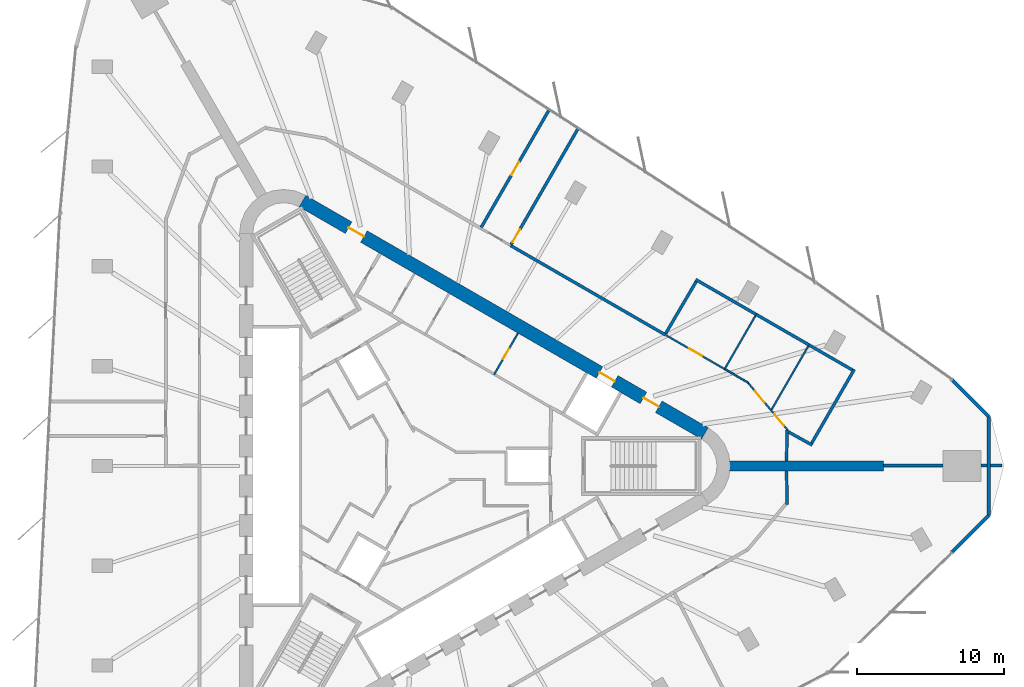
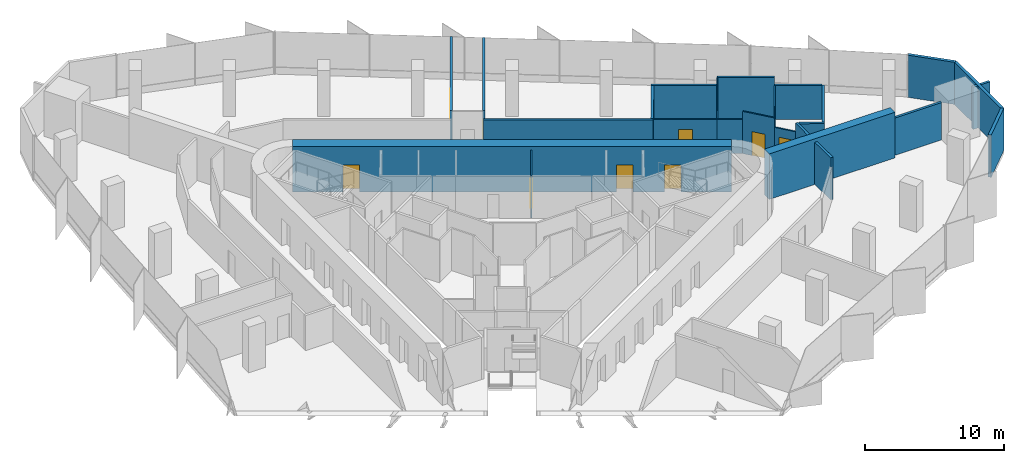
# One storey, part 12 of 14: 26 walls, 9 doors, 9 openings.
"""IFC4 building model written with IfcOpenShell, lengths in metres."""

from ifc_helpers import new_model, si_unit, direction, frame, frame_2d, origin, place, context, subcontext, project, spatial, rectangle, extrude, material, layer, layer_set, type_object, element, fill, save


model = new_model("IFC4")

# Units and contexts
model_context = context("Model", 3, precision=1e-05, world=origin(), true_north=direction((0.0, 1.0)))
body_context = subcontext(model_context, "Body", "Model", "MODEL_VIEW")
ifc_project = project(units=[si_unit("LENGTHUNIT", "METRE"), si_unit("AREAUNIT", "SQUARE_METRE"), si_unit("VOLUMEUNIT", "CUBIC_METRE"), si_unit("PLANEANGLEUNIT", "RADIAN"), si_unit("MASSUNIT", "GRAM", prefix="KILO")], contexts=[model_context])

# Site, building, storey
site_placement = place(None, origin())
site = spatial("IfcSite", under=ifc_project, at=site_placement, CompositionType="ELEMENT")
building_placement = place(site_placement, origin())
building = spatial("IfcBuilding", under=site, at=building_placement, Name="Tanit Gate Tower", CompositionType="ELEMENT")
storey_placement = place(building_placement, frame((0.0, 0.0, 257.199951171875)))
storey = spatial("IfcBuildingStorey", under=building, at=storey_placement, Name="L58", CompositionType="ELEMENT", Elevation=257.199951171875)

# Wall
ifc_material_1 = material(Name="Concrete C50/60", Category="concrete")
ifc_layer_1 = layer(ifc_material_1, 0.699951171875)
ifc_layer_set_1 = layer_set([ifc_layer_1], Name="BUTTRESS FIN 700 C50/60")
wall_type_1 = type_object("IfcWallType", Name="BUTTRESS FIN 700 C50/60", PredefinedType="SHEAR", material=ifc_layer_set_1)
wall_1_placement = place(storey_placement, frame((21.14990234375, 0.0, 0.0), z_axis=(0.0, 0.0, 1.0), x_axis=(1.0, 0.0, 0.0)))
element("IfcWall", 1, at=wall_1_placement, inside=storey, type_object=wall_type_1, Name="BUTTRESS FIN", PredefinedType="SHEAR", context=body_context, shape_type="SweptSolid", body=[
    extrude(rectangle(XDim=10.4326171875, YDim=0.699951171875, at=frame_2d((5.21630859375, 0.0))), origin(), (0.0, 0.0, 1.0), 4.0),
])

# Wall, openings, doors
ifc_material_2 = material(Name="Concrete C50/60", Category="concrete")
ifc_layer_2 = layer(ifc_material_2, 0.89990234375)
ifc_layer_set_2 = layer_set([ifc_layer_2], Name="CORE WALL 900 C50/60")
wall_type_2 = type_object("IfcWallType", Name="CORE WALL 900 C50/60", PredefinedType="SHEAR", material=ifc_layer_set_2)
wall_2_placement = place(storey_placement, frame((19.47509765625, 2.20849609375, 0.0), z_axis=(0.0, 0.0, 1.0), x_axis=(-0.866028369851, 0.499994862586, 0.0)))
wall_2 = element("IfcWall", 2, at=wall_2_placement, inside=storey, type_object=wall_type_2, Name="CORE WALL", PredefinedType="SHEAR", context=body_context, shape_type="SweptSolid", body=[
    extrude(rectangle(XDim=31.523193359375, YDim=0.89990234375, at=frame_2d((15.76171875, 0.0))), origin(), (0.0, 0.0, 1.0), 4.0),
])
opening_1_placement = place(wall_2_placement, frame((7.0615234375, 0.0, 0.0)))
opening_1 = element("IfcOpeningElement", 3, at=opening_1_placement, cuts=wall_2, Name="Opening LDML8-S16", PredefinedType="OPENING", context=body_context, shape_type="SweptSolid", body=[
    extrude(rectangle(XDim=1.199951171875, YDim=2.39990234375, at=frame_2d((0.60009765625, 1.199951171875))), frame((0.0, 0.4599609375, 0.0), z_axis=(0.0, -1.0, 0.0), x_axis=(1.0, 0.0, 0.0)), (0.0, 0.0, 1.0), 0.919921875),
])
opening_2_placement = place(wall_2_placement, frame((3.611572265625, 0.0, 0.0)))
opening_2 = element("IfcOpeningElement", 4, at=opening_2_placement, cuts=wall_2, Name="Opening F12-S16-FL1", PredefinedType="OPENING", context=body_context, shape_type="SweptSolid", body=[
    extrude(rectangle(XDim=1.199951171875, YDim=2.39990234375, at=frame_2d((0.60009765625, 1.199951171875))), frame((0.0, 0.4599609375, 0.0), z_axis=(0.0, -1.0, 0.0), x_axis=(1.0, 0.0, 0.0)), (0.0, 0.0, 1.0), 0.919921875),
])
opening_3_placement = place(wall_2_placement, frame((26.711669921875, 0.0, 0.0)))
opening_3 = element("IfcOpeningElement", 5, at=opening_3_placement, cuts=wall_2, Name="Opening F12-S16-S2", PredefinedType="OPENING", context=body_context, shape_type="SweptSolid", body=[
    extrude(rectangle(XDim=1.199951171875, YDim=2.39990234375, at=frame_2d((0.60009765625, 1.199951171875))), frame((0.0, 0.4599609375, 0.0), z_axis=(0.0, -1.0, 0.0), x_axis=(1.0, 0.0, 0.0)), (0.0, 0.0, 1.0), 0.919921875),
])
ifc_material_3 = material(Name="Fire-rated steel door leaf", Category="steel")
door_type_1 = type_object("IfcDoorType", Name="INT-DOOR-FIRE-LOBBY-1200", OperationType="NOTDEFINED", PredefinedType="USERDEFINED", material=ifc_material_3)
door_1_placement = place(opening_2_placement, origin())
door_1 = element("IfcDoor", 6, at=door_1_placement, inside=storey, type_object=door_type_1, Name="Door F12-S16-FL1", ObjectType="FIRE DOOR", OperationType="SINGLE_SWING_LEFT", OverallHeight=2.39990234375, OverallWidth=1.199951171875, PredefinedType="USERDEFINED", context=body_context, shape_type="SweptSolid", body=[
    extrude(rectangle(XDim=1.199951171875, YDim=2.39990234375, at=frame_2d((0.60009765625, 1.199951171875))), frame((0.0, 0.02490234375, 0.0), z_axis=(0.0, -1.0, 0.0), x_axis=(1.0, 0.0, 0.0)), (0.0, 0.0, 1.0), 0.050048828125),
])
fill(opening_2, door_1)
door_2_placement = place(opening_3_placement, origin())
door_2 = element("IfcDoor", 7, at=door_2_placement, inside=storey, type_object=door_type_1, Name="Door F12-S16-S2", ObjectType="FIRE DOOR", OperationType="SINGLE_SWING_LEFT", OverallHeight=2.39990234375, OverallWidth=1.199951171875, PredefinedType="USERDEFINED", context=body_context, shape_type="SweptSolid", body=[
    extrude(rectangle(XDim=1.199951171875, YDim=2.39990234375, at=frame_2d((0.60009765625, 1.199951171875))), frame((0.0, 0.02490234375, 0.0), z_axis=(0.0, -1.0, 0.0), x_axis=(1.0, 0.0, 0.0)), (0.0, 0.0, 1.0), 0.050048828125),
])
fill(opening_3, door_2)
ifc_material_4 = material(Name="Stainless steel sliding door leaf", Category="steel")
door_type_2 = type_object("IfcDoorType", Name="INT-DOOR-LANDING-1200", OperationType="NOTDEFINED", PredefinedType="USERDEFINED", material=ifc_material_4)
door_3_placement = place(opening_1_placement, origin())
door_3 = element("IfcDoor", 8, at=door_3_placement, inside=storey, type_object=door_type_2, Name="Door LDML8-S16", ObjectType="LANDING DOOR", OperationType="SLIDING_TO_LEFT", OverallHeight=2.39990234375, OverallWidth=1.199951171875, PredefinedType="USERDEFINED", context=body_context, shape_type="SweptSolid", body=[
    extrude(rectangle(XDim=1.199951171875, YDim=2.39990234375, at=frame_2d((0.60009765625, 1.199951171875))), frame((0.0, 0.02490234375, 0.0), z_axis=(0.0, -1.0, 0.0), x_axis=(1.0, 0.0, 0.0)), (0.0, 0.0, 1.0), 0.050048828125),
])
fill(opening_1, door_3)

# Walls
ifc_material_5 = material(Name="Concrete C30/37 with bronze anodised aluminium cladding", Category="concrete")
ifc_layer_3 = layer(ifc_material_5, 0.239990234375)
ifc_layer_set_3 = layer_set([ifc_layer_3], Name="Facade wall bronze clad 240")
wall_type_3 = type_object("IfcWallType", Name="Facade wall bronze clad 240", PredefinedType="SOLIDWALL", material=ifc_layer_set_3)
wall_3_placement = place(storey_placement, frame((36.263427734375, -5.842041015625, 0.0), z_axis=(0.0, 0.0, 1.0), x_axis=(0.707106781187, 0.707106781187, 0.0)))
element("IfcWall", 9, at=wall_3_placement, inside=storey, type_object=wall_type_3, Name="Bronze-clad facade wall L58 E.arc1", PredefinedType="SOLIDWALL", context=body_context, shape_type="SweptSolid", body=[
    extrude(rectangle(XDim=3.510009765625, YDim=0.239990234375, at=frame_2d((1.7548828125, 0.0))), origin(), (0.0, 0.0, 1.0), 3.699951171875),
])
wall_4_placement = place(storey_placement, frame((38.745361328125, -3.360107421875, 0.0), z_axis=(0.0, 0.0, 1.0), x_axis=(0.0, 1.0, 0.0)))
element("IfcWall", 10, at=wall_4_placement, inside=storey, type_object=wall_type_3, Name="Bronze-clad facade wall L58 E.arc2", PredefinedType="SOLIDWALL", context=body_context, shape_type="SweptSolid", body=[
    extrude(rectangle(XDim=6.72021484375, YDim=0.239990234375, at=frame_2d((3.360107421875, 0.0))), origin(), (0.0, 0.0, 1.0), 3.699951171875),
])
wall_5_placement = place(storey_placement, frame((38.745361328125, 3.360107421875, 0.0), z_axis=(0.0, 0.0, 1.0), x_axis=(-0.707071911409, 0.707141649244, 0.0)))
element("IfcWall", 11, at=wall_5_placement, inside=storey, type_object=wall_type_3, Name="Bronze-clad facade wall L58 E.arc3", PredefinedType="SOLIDWALL", context=body_context, shape_type="SweptSolid", body=[
    extrude(rectangle(XDim=3.500732421875, YDim=0.239990234375, at=frame_2d((1.75048828125, 0.0))), origin(), (0.0, 0.0, 1.0), 3.699951171875),
])
ifc_material_6 = material(Name="Fire-rated gypsum board partition")
ifc_layer_4 = layer(ifc_material_6, 0.199951171875)
ifc_layer_set_4 = layer_set([ifc_layer_4], Name="INT-WALL-COMPARTMENT")
wall_type_4 = type_object("IfcWallType", Name="INT-WALL-COMPARTMENT", PredefinedType="PARTITIONING", material=ifc_layer_set_4)
wall_6_placement = place(storey_placement, frame((16.82275390625, 8.8779296875, 0.0), z_axis=(0.0, 0.0, 1.0), x_axis=(-0.866020355572, 0.500008743658, 0.0)))
element("IfcWall", 12, at=wall_6_placement, inside=storey, type_object=wall_type_4, Name="Wall Compartment W103", PredefinedType="PARTITIONING", context=body_context, shape_type="SweptSolid", body=[
    extrude(rectangle(XDim=12.179931640625, YDim=0.199951171875, at=frame_2d((6.08984375, 0.0))), origin(), (0.0, 0.0, 1.0), 2.97998046875),
])
wall_7_placement = place(storey_placement, frame((25.0205078125, 0.35009765625, 0.0), z_axis=(0.0, 0.0, 1.0), x_axis=(0.012334587904, 0.999923926077, 0.0)))
element("IfcWall", 13, at=wall_7_placement, inside=storey, type_object=wall_type_4, Name="Wall Compartment W104", PredefinedType="PARTITIONING", context=body_context, shape_type="SweptSolid", body=[
    extrude(rectangle(XDim=2.078369140625, YDim=0.199951171875, at=frame_2d((1.0390625, 0.0))), origin(), (0.0, 0.0, 1.0), 3.699951171875),
])
wall_8_placement = place(storey_placement, frame((25.047607421875, -2.608154296875, 0.0), z_axis=(0.0, 0.0, 1.0), x_axis=(-0.012000433251, 0.999927992208, 0.0)))
element("IfcWall", 14, at=wall_8_placement, inside=storey, type_object=wall_type_4, Name="Wall Compartment W110", PredefinedType="PARTITIONING", context=body_context, shape_type="SweptSolid", body=[
    extrude(rectangle(XDim=2.25830078125, YDim=0.199951171875, at=frame_2d((1.129150390625, 0.0))), origin(), (0.0, 0.0, 1.0), 3.699951171875),
])

# Wall, opening, door
wall_9_placement = place(storey_placement, frame((8.912109375, 24.17626953125, 0.0), z_axis=(0.0, 0.0, 1.0), x_axis=(-0.500000924775, -0.866024869865, 0.0)))
wall_9 = element("IfcWall", 15, at=wall_9_placement, inside=storey, type_object=wall_type_4, Name="Wall Compartment W126", PredefinedType="PARTITIONING", context=body_context, shape_type="SweptSolid", body=[
    extrude(rectangle(XDim=9.2333984375, YDim=0.199951171875, at=frame_2d((4.61669921875, 0.0))), origin(), (0.0, 0.0, 1.0), 3.699951171875),
])
opening_4_placement = place(wall_9_placement, frame((4.11669921875, 0.0, 0.0)))
opening_4 = element("IfcOpeningElement", 16, at=opening_4_placement, cuts=wall_9, Name="Opening F10-S16-32", PredefinedType="OPENING", context=body_context, shape_type="SweptSolid", body=[
    extrude(rectangle(XDim=1.0, YDim=2.10009765625, at=frame_2d((0.5, 1.050048828125))), frame((0.0, 0.10986328125, 0.0), z_axis=(0.0, -1.0, 0.0), x_axis=(1.0, 0.0, 0.0)), (0.0, 0.0, 1.0), 0.219970703125),
])
ifc_material_7 = material(Name="Fire-rated steel door leaf", Category="steel")
door_type_3 = type_object("IfcDoorType", Name="INT-DOOR-FIRE-1000", OperationType="NOTDEFINED", PredefinedType="USERDEFINED", material=ifc_material_7)
door_4_placement = place(opening_4_placement, origin())
door_4 = element("IfcDoor", 17, at=door_4_placement, inside=storey, type_object=door_type_3, Name="Door F10-S16-32", ObjectType="FIRE DOOR", OperationType="SINGLE_SWING_LEFT", OverallHeight=2.10009765625, OverallWidth=1.0, PredefinedType="USERDEFINED", context=body_context, shape_type="SweptSolid", body=[
    extrude(rectangle(XDim=1.0, YDim=2.10009765625, at=frame_2d((0.5, 1.050048828125))), frame((0.0, 0.02490234375, 0.0), z_axis=(0.0, -1.0, 0.0), x_axis=(1.0, 0.0, 0.0)), (0.0, 0.0, 1.0), 0.050048828125),
])
fill(opening_4, door_4)

wall_10_placement = place(storey_placement, frame((6.322021484375, 15.010009765625, 0.0), z_axis=(0.0, 0.0, 1.0), x_axis=(0.500009283198, 0.866020044061, 0.0)))
wall_10 = element("IfcWall", 18, at=wall_10_placement, inside=storey, type_object=wall_type_4, Name="Wall Compartment W127", PredefinedType="PARTITIONING", context=body_context, shape_type="SweptSolid", body=[
    extrude(rectangle(XDim=9.111572265625, YDim=0.199951171875, at=frame_2d((4.5556640625, 0.0))), origin(), (0.0, 0.0, 1.0), 3.699951171875),
])
opening_5_placement = place(wall_10_placement, frame((0.199951171875, 0.0, 0.0)))
opening_5 = element("IfcOpeningElement", 19, at=opening_5_placement, cuts=wall_10, Name="Opening F10-S16-33", PredefinedType="OPENING", context=body_context, shape_type="SweptSolid", body=[
    extrude(rectangle(XDim=1.0, YDim=2.10009765625, at=frame_2d((0.5, 1.050048828125))), frame((0.0, 0.10986328125, 0.0), z_axis=(0.0, -1.0, 0.0), x_axis=(1.0, 0.0, 0.0)), (0.0, 0.0, 1.0), 0.219970703125),
])
door_5_placement = place(opening_5_placement, origin())
door_5 = element("IfcDoor", 20, at=door_5_placement, inside=storey, type_object=door_type_3, Name="Door F10-S16-33", ObjectType="FIRE DOOR", OperationType="SINGLE_SWING_RIGHT", OverallHeight=2.10009765625, OverallWidth=1.0, PredefinedType="USERDEFINED", context=body_context, shape_type="SweptSolid", body=[
    extrude(rectangle(XDim=1.0, YDim=2.10009765625, at=frame_2d((0.5, 1.050048828125))), frame((0.0, 0.02490234375, 0.0), z_axis=(0.0, -1.0, 0.0), x_axis=(1.0, 0.0, 0.0)), (0.0, 0.0, 1.0), 0.050048828125),
])
fill(opening_5, door_5)

# Walls
wall_11_placement = place(storey_placement, frame((31.58251953125, 0.030029296875, 0.0), z_axis=(0.0, 0.0, 1.0), x_axis=(1.0, 0.0, 0.0)))
element("IfcWall", 21, at=wall_11_placement, inside=storey, type_object=wall_type_4, Name="Wall Compartment W128", PredefinedType="PARTITIONING", context=body_context, shape_type="SweptSolid", body=[
    extrude(rectangle(XDim=4.03759765625, YDim=0.199951171875, at=frame_2d((2.018798828125, 0.0))), origin(), (0.0, 0.0, 1.0), 3.27001953125),
])
wall_12_placement = place(storey_placement, frame((38.219970703125, 0.030029296875, 0.0), z_axis=(0.0, 0.0, 1.0), x_axis=(1.0, 0.0, 0.0)))
element("IfcWall", 22, at=wall_12_placement, inside=storey, type_object=wall_type_4, Name="Wall Compartment W129", PredefinedType="PARTITIONING", context=body_context, shape_type="SweptSolid", body=[
    extrude(rectangle(XDim=0.405517578125, YDim=0.199951171875, at=frame_2d((0.20263671875, 0.0))), origin(), (0.0, 0.0, 1.0), 3.699951171875),
])
wall_13_placement = place(storey_placement, frame((38.865478515625, 0.030029296875, 0.0), z_axis=(0.0, 0.0, 1.0), x_axis=(1.0, 0.0, 0.0)))
element("IfcWall", 23, at=wall_13_placement, inside=storey, type_object=wall_type_4, Name="Wall Compartment W129x1", PredefinedType="PARTITIONING", context=body_context, shape_type="SweptSolid", body=[
    extrude(rectangle(XDim=0.772216796875, YDim=0.199951171875, at=frame_2d((0.38623046875, 0.0))), origin(), (0.0, 0.0, 1.0), 3.699951171875),
])
wall_14_placement = place(storey_placement, frame((18.850341796875, 12.649658203125, 0.0), z_axis=(0.0, 0.0, 1.0), x_axis=(0.866019207135, -0.500010732759, 0.0)))
element("IfcWall", 24, at=wall_14_placement, inside=storey, type_object=wall_type_4, Name="Wall Compartment W130", PredefinedType="PARTITIONING", context=body_context, shape_type="SweptSolid", body=[
    extrude(rectangle(XDim=4.74072265625, YDim=0.199951171875, at=frame_2d((2.370361328125, 0.0))), origin(), (0.0, 0.0, 1.0), 2.97998046875),
])
wall_15_placement = place(storey_placement, frame((22.955810546875, 10.279296875, 0.0), z_axis=(0.0, 0.0, 1.0), x_axis=(0.86601450623, -0.500018874643, 0.0)))
element("IfcWall", 25, at=wall_15_placement, inside=storey, type_object=wall_type_4, Name="Wall Compartment W132", PredefinedType="PARTITIONING", context=body_context, shape_type="SweptSolid", body=[
    extrude(rectangle(XDim=4.135009765625, YDim=0.199951171875, at=frame_2d((2.0673828125, 0.0))), origin(), (0.0, 0.0, 1.0), 3.699951171875),
])
wall_16_placement = place(storey_placement, frame((26.536865234375, 8.211669921875, 0.0), z_axis=(0.0, 0.0, 1.0), x_axis=(0.866034661658, -0.49998396455, 0.0)))
element("IfcWall", 26, at=wall_16_placement, inside=storey, type_object=wall_type_4, Name="Wall Compartment W135", PredefinedType="PARTITIONING", context=body_context, shape_type="SweptSolid", body=[
    extrude(rectangle(XDim=3.39404296875, YDim=0.199951171875, at=frame_2d((1.697021484375, 0.0))), origin(), (0.0, 0.0, 1.0), 2.97998046875),
])
wall_17_placement = place(storey_placement, frame((18.88623046875, 12.513427734375, 0.0), z_axis=(0.0, 0.0, 1.0), x_axis=(-0.506023514177, -0.862519682732, 0.0)))
element("IfcWall", 27, at=wall_17_placement, inside=storey, type_object=wall_type_4, Name="Wall Compartment W131", PredefinedType="PARTITIONING", context=body_context, shape_type="SweptSolid", body=[
    extrude(rectangle(XDim=4.080322265625, YDim=0.199951171875, at=frame_2d((2.0400390625, 0.0))), origin(), (0.0, 0.0, 1.0), 2.97998046875),
])
wall_18_placement = place(storey_placement, frame((25.1455078125, 2.308349609375, 0.0), z_axis=(0.0, 0.0, 1.0), x_axis=(0.873988954693, -0.485945786147, 0.0)))
element("IfcWall", 28, at=wall_18_placement, inside=storey, type_object=wall_type_4, Name="Wall Compartment W133", PredefinedType="PARTITIONING", context=body_context, shape_type="SweptSolid", body=[
    extrude(rectangle(XDim=1.847900390625, YDim=0.199951171875, at=frame_2d((0.923828125, 0.0))), origin(), (0.0, 0.0, 1.0), 3.699951171875),
])
wall_19_placement = place(storey_placement, frame((26.722900390625, 1.545654296875, 0.0), z_axis=(0.0, 0.0, 1.0), x_axis=(0.500018609004, 0.866014659605, 0.0)))
element("IfcWall", 29, at=wall_19_placement, inside=storey, type_object=wall_type_4, Name="Wall Compartment W134", PredefinedType="PARTITIONING", context=body_context, shape_type="SweptSolid", body=[
    extrude(rectangle(XDim=5.780029296875, YDim=0.199951171875, at=frame_2d((2.89013671875, 0.0))), origin(), (0.0, 0.0, 1.0), 2.880126953125),
])

# Wall, opening, door
ifc_material_8 = material(Name="Gypsum board partition")
ifc_layer_5 = layer(ifc_material_8, 0.1201171875)
ifc_layer_set_5 = layer_set([ifc_layer_5], Name="INT-WALL-PARTITION")
wall_type_5 = type_object("IfcWallType", Name="INT-WALL-PARTITION", PredefinedType="PARTITIONING", material=ifc_layer_set_5)
wall_20_placement = place(storey_placement, frame((6.795166015625, 9.009521484375, 0.0), z_axis=(0.0, 0.0, 1.0), x_axis=(-0.499984717929, -0.866034226713, 0.0)))
wall_20 = element("IfcWall", 30, at=wall_20_placement, inside=storey, type_object=wall_type_5, Name="Wall Partition W050", PredefinedType="PARTITIONING", context=body_context, shape_type="SweptSolid", body=[
    extrude(rectangle(XDim=3.25, YDim=0.1201171875, at=frame_2d((1.625, 0.0))), origin(), (0.0, 0.0, 1.0), 3.699951171875),
])
opening_6_placement = place(wall_20_placement, frame((1.22509765625, 0.0, 0.0)))
opening_6 = element("IfcOpeningElement", 31, at=opening_6_placement, cuts=wall_20, Name="Opening R08-S16-14", PredefinedType="OPENING", context=body_context, shape_type="SweptSolid", body=[
    extrude(rectangle(XDim=0.800048828125, YDim=2.10009765625, at=frame_2d((0.39990234375, 1.050048828125))), frame((0.0, 0.070068359375, 0.0), z_axis=(0.0, -1.0, 0.0), x_axis=(1.0, 0.0, 0.0)), (0.0, 0.0, 1.0), 0.14013671875),
])
ifc_material_9 = material(Name="Timber door leaf", Category="wood")
door_type_4 = type_object("IfcDoorType", Name="INT-DOOR-RISER-800", OperationType="NOTDEFINED", PredefinedType="USERDEFINED", material=ifc_material_9)
door_6_placement = place(opening_6_placement, origin())
door_6 = element("IfcDoor", 32, at=door_6_placement, inside=storey, type_object=door_type_4, Name="Door R08-S16-14", ObjectType="FIRE DOOR", OperationType="SINGLE_SWING_LEFT", OverallHeight=2.10009765625, OverallWidth=0.800048828125, PredefinedType="USERDEFINED", context=body_context, shape_type="SweptSolid", body=[
    extrude(rectangle(XDim=0.800048828125, YDim=2.10009765625, at=frame_2d((0.39990234375, 1.050048828125))), frame((0.0, 0.02490234375, 0.0), z_axis=(0.0, -1.0, 0.0), x_axis=(1.0, 0.0, 0.0)), (0.0, 0.0, 1.0), 0.050048828125),
])
fill(opening_6, door_6)

# Wall
wall_21_placement = place(storey_placement, frame((22.431396484375, 5.639892578125, 0.0), z_axis=(0.0, 0.0, 1.0), x_axis=(-0.866019968675, 0.500009413767, 0.0)))
element("IfcWall", 33, at=wall_21_placement, inside=storey, type_object=wall_type_5, Name="Wall Partition W106", PredefinedType="PARTITIONING", context=body_context, shape_type="SweptSolid", body=[
    extrude(rectangle(XDim=1.86572265625, YDim=0.1201171875, at=frame_2d((0.932861328125, 0.0))), origin(), (0.0, 0.0, 1.0), 2.97998046875),
])

# Wall, opening, door
wall_22_placement = place(storey_placement, frame((20.815673828125, 6.57275390625, 0.0), z_axis=(0.0, 0.0, 1.0), x_axis=(-0.866038816861, 0.499976767151, 0.0)))
wall_22 = element("IfcWall", 34, at=wall_22_placement, inside=storey, type_object=wall_type_5, Name="Wall Partition W105", PredefinedType="PARTITIONING", context=body_context, shape_type="SweptSolid", body=[
    extrude(rectangle(XDim=4.570556640625, YDim=0.1201171875, at=frame_2d((2.28515625, 0.0))), origin(), (0.0, 0.0, 1.0), 2.97998046875),
])
opening_7_placement = place(wall_22_placement, frame((1.785400390625, 0.0, 0.0)))
opening_7 = element("IfcOpeningElement", 35, at=opening_7_placement, cuts=wall_22, Name="Opening D10-S16-27", PredefinedType="OPENING", context=body_context, shape_type="SweptSolid", body=[
    extrude(rectangle(XDim=1.0, YDim=2.10009765625, at=frame_2d((0.5, 1.050048828125))), frame((0.0, 0.070068359375, 0.0), z_axis=(0.0, -1.0, 0.0), x_axis=(1.0, 0.0, 0.0)), (0.0, 0.0, 1.0), 0.14013671875),
])
ifc_material_10 = material(Name="Timber door leaf", Category="wood")
door_type_5 = type_object("IfcDoorType", Name="INT-DOOR-SINGLE-1000", OperationType="NOTDEFINED", PredefinedType="NOTDEFINED", material=ifc_material_10)
door_7_placement = place(opening_7_placement, origin())
door_7 = element("IfcDoor", 36, at=door_7_placement, inside=storey, type_object=door_type_5, Name="Door D10-S16-27", OperationType="SINGLE_SWING_LEFT", OverallHeight=2.10009765625, OverallWidth=1.0, PredefinedType="NOTDEFINED", context=body_context, shape_type="SweptSolid", body=[
    extrude(rectangle(XDim=1.0, YDim=2.10009765625, at=frame_2d((0.5, 1.050048828125))), frame((0.0, 0.02490234375, 0.0), z_axis=(0.0, -1.0, 0.0), x_axis=(1.0, 0.0, 0.0)), (0.0, 0.0, 1.0), 0.050048828125),
])
fill(opening_7, door_7)

wall_23_placement = place(storey_placement, frame((25.10009765625, 2.427490234375, 0.0), z_axis=(0.0, 0.0, 1.0), x_axis=(-0.642728930344, 0.766093677104, 0.0)))
wall_23 = element("IfcWall", 37, at=wall_23_placement, inside=storey, type_object=wall_type_5, Name="Wall Partition W108", PredefinedType="PARTITIONING", context=body_context, shape_type="SweptSolid", body=[
    extrude(rectangle(XDim=1.743408203125, YDim=0.1201171875, at=frame_2d((0.87158203125, 0.0))), origin(), (0.0, 0.0, 1.0), 2.880126953125),
])
opening_8_placement = place(wall_23_placement, frame((0.413818359375, 0.0, 0.0)))
opening_8 = element("IfcOpeningElement", 38, at=opening_8_placement, cuts=wall_23, Name="Opening D10-S16-29", PredefinedType="OPENING", context=body_context, shape_type="SweptSolid", body=[
    extrude(rectangle(XDim=1.0, YDim=2.10009765625, at=frame_2d((0.5, 1.050048828125))), frame((0.0, 0.070068359375, 0.0), z_axis=(0.0, -1.0, 0.0), x_axis=(1.0, 0.0, 0.0)), (0.0, 0.0, 1.0), 0.14013671875),
])
door_8_placement = place(opening_8_placement, origin())
door_8 = element("IfcDoor", 39, at=door_8_placement, inside=storey, type_object=door_type_5, Name="Door D10-S16-29", OperationType="SINGLE_SWING_LEFT", OverallHeight=2.10009765625, OverallWidth=1.0, PredefinedType="NOTDEFINED", context=body_context, shape_type="SweptSolid", body=[
    extrude(rectangle(XDim=1.0, YDim=2.10009765625, at=frame_2d((0.5, 1.050048828125))), frame((0.0, 0.02490234375, 0.0), z_axis=(0.0, -1.0, 0.0), x_axis=(1.0, 0.0, 0.0)), (0.0, 0.0, 1.0), 0.050048828125),
])
fill(opening_8, door_8)

wall_24_placement = place(storey_placement, frame((23.9794921875, 3.76318359375, 0.0), z_axis=(0.0, 0.0, 1.0), x_axis=(-0.642800687269, 0.766033469535, 0.0)))
wall_24 = element("IfcWall", 40, at=wall_24_placement, inside=storey, type_object=wall_type_5, Name="Wall Partition W107", PredefinedType="PARTITIONING", context=body_context, shape_type="SweptSolid", body=[
    extrude(rectangle(XDim=2.428955078125, YDim=0.1201171875, at=frame_2d((1.21435546875, 0.0))), origin(), (0.0, 0.0, 1.0), 3.699951171875),
])
opening_9_placement = place(wall_24_placement, frame((0.714599609375, 0.0, 0.0)))
opening_9 = element("IfcOpeningElement", 41, at=opening_9_placement, cuts=wall_24, Name="Opening D10-S16-28", PredefinedType="OPENING", context=body_context, shape_type="SweptSolid", body=[
    extrude(rectangle(XDim=1.0, YDim=2.10009765625, at=frame_2d((0.5, 1.050048828125))), frame((0.0, 0.070068359375, 0.0), z_axis=(0.0, -1.0, 0.0), x_axis=(1.0, 0.0, 0.0)), (0.0, 0.0, 1.0), 0.14013671875),
])
door_9_placement = place(opening_9_placement, origin())
door_9 = element("IfcDoor", 42, at=door_9_placement, inside=storey, type_object=door_type_5, Name="Door D10-S16-28", OperationType="SINGLE_SWING_RIGHT", OverallHeight=2.10009765625, OverallWidth=1.0, PredefinedType="NOTDEFINED", context=body_context, shape_type="SweptSolid", body=[
    extrude(rectangle(XDim=1.0, YDim=2.10009765625, at=frame_2d((0.5, 1.050048828125))), frame((0.0, 0.02490234375, 0.0), z_axis=(0.0, -1.0, 0.0), x_axis=(1.0, 0.0, 0.0)), (0.0, 0.0, 1.0), 0.050048828125),
])
fill(opening_9, door_9)

# Walls
wall_25_placement = place(storey_placement, frame((20.845703125, 6.624755859375, 0.0), z_axis=(0.0, 0.0, 1.0), x_axis=(0.50002680699, 0.866009926209, 0.0)))
element("IfcWall", 43, at=wall_25_placement, inside=storey, type_object=wall_type_5, Name="Wall Partition W149", PredefinedType="PARTITIONING", context=body_context, shape_type="SweptSolid", body=[
    extrude(rectangle(XDim=4.119873046875, YDim=0.1201171875, at=frame_2d((2.06005859375, 0.0))), origin(), (0.0, 0.0, 1.0), 3.699951171875),
])
wall_26_placement = place(storey_placement, frame((26.487060546875, 8.125, 0.0), z_axis=(0.0, 0.0, 1.0), x_axis=(-0.500037493495, -0.866003755823, 0.0)))
element("IfcWall", 44, at=wall_26_placement, inside=storey, type_object=wall_type_5, Name="Wall Partition W150", PredefinedType="PARTITIONING", context=body_context, shape_type="SweptSolid", body=[
    extrude(rectangle(XDim=4.9638671875, YDim=0.1201171875, at=frame_2d((2.48193359375, 0.0))), origin(), (0.0, 0.0, 1.0), 2.97998046875),
])

save(model, "model.ifc")
